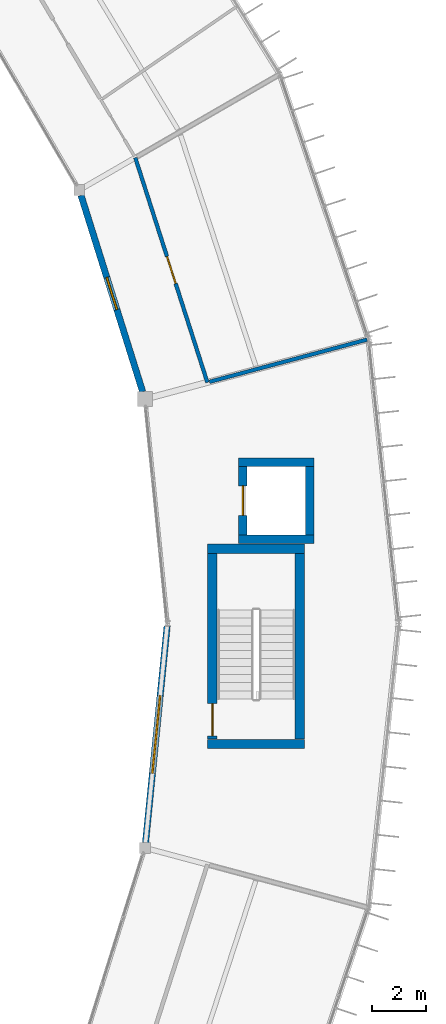
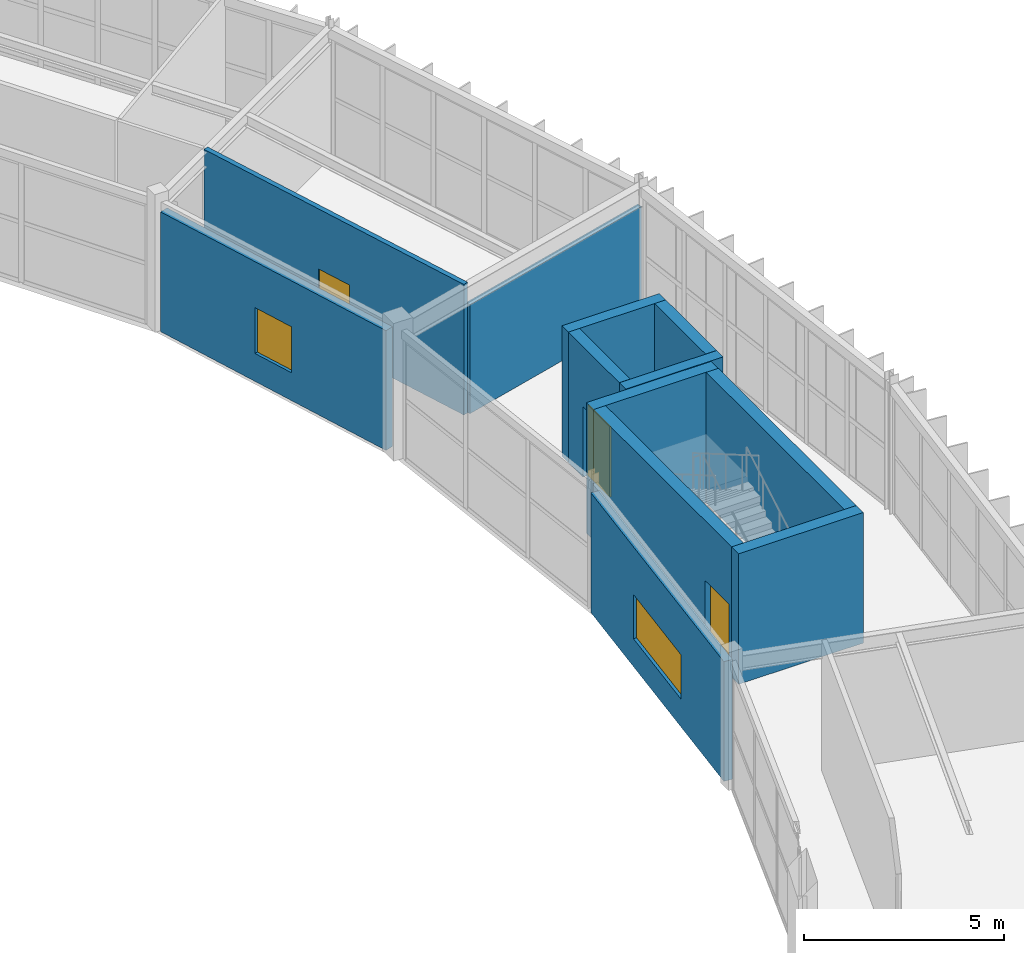
# One storey, part 118 of 134: 12 walls, 3 doors, 2 windows, 5 openings.
"""IFC4 building model written with IfcOpenShell, lengths in metres."""

from ifc_helpers import new_model, si_unit, direction, frame, frame_2d, origin, place, context, subcontext, project, spatial, rectangle, extrude, material, layer, layer_set, type_object, element, fill, save


model = new_model("IFC4")

# Units and contexts
model_context = context("Model", 3, precision=1e-05, world=origin(), true_north=direction((0.0, 1.0)))
body_context = subcontext(model_context, "Body", "Model", "MODEL_VIEW")
ifc_project = project(units=[si_unit("LENGTHUNIT", "METRE"), si_unit("AREAUNIT", "SQUARE_METRE"), si_unit("VOLUMEUNIT", "CUBIC_METRE"), si_unit("PLANEANGLEUNIT", "RADIAN"), si_unit("MASSUNIT", "GRAM", prefix="KILO")], contexts=[model_context])

# Site, building, storey
site_placement = place(None, origin())
site = spatial("IfcSite", under=ifc_project, at=site_placement, CompositionType="ELEMENT")
building_placement = place(site_placement, origin())
building = spatial("IfcBuilding", under=site, at=building_placement, Name="Karori Crest Natural Sciences Institute", CompositionType="ELEMENT")
storey_placement = place(building_placement, frame((0.0, 0.0, 21.699951171875)))
storey = spatial("IfcBuildingStorey", under=building, at=storey_placement, Name="L05", CompositionType="ELEMENT", Elevation=21.699951171875)

# Walls
ifc_material_1 = material(Name="Concrete 50 MPa", Category="concrete")
ifc_layer_1 = layer(ifc_material_1, 0.35009765625, Name="Concrete 50 MPa")
ifc_layer_set_1 = layer_set([ifc_layer_1], Name="Concrete 50 MPa")
wall_type_1 = type_object("IfcWallType", Name="IWT-02", PredefinedType="SHEAR", material=ifc_layer_set_1)
for number, where, z_axis, x_axis, name in (
    (1, (92.300048828125, 45.425048828125, 0.0), (0.0, 0.0, 1.0), (1.0, 0.0, 0.0), "Shear wall IW-0025"),
    (2, (92.300048828125, 52.675048828125, 0.0), (0.0, 0.0, 1.0), (1.0, 0.0, 0.0), "Shear wall IW-0026"),
):
    element("IfcWall", number, at=place(storey_placement, frame(where, z_axis=z_axis, x_axis=x_axis)), inside=storey, type_object=wall_type_1, Name=name, PredefinedType="SHEAR", context=body_context, shape_type="SweptSolid", body=[
        extrude(rectangle(XDim=3.599853515625, YDim=0.35009765625, at=frame_2d((1.7998046875, 0.0))), origin(), (0.0, 0.0, 1.0), 3.97998046875),
    ])

# Wall, opening, door
wall_1_placement = place(storey_placement, frame((92.47509765625, 45.60205078125, 0.0), z_axis=(0.0, 0.0, 1.0), x_axis=(0.0, 1.0, 0.0)))
wall_1 = element("IfcWall", 3, at=wall_1_placement, inside=storey, type_object=wall_type_1, Name="Shear wall IW-0027", PredefinedType="SHEAR", context=body_context, shape_type="SweptSolid", body=[
    extrude(rectangle(XDim=6.89599609375, YDim=0.35009765625, at=frame_2d((3.447998046875, 0.0))), origin(), (0.0, 0.0, 1.0), 3.97998046875),
])
opening_1_placement = place(wall_1_placement, frame((0.1201171875, 0.0, 0.0)))
opening_1 = element("IfcOpeningElement", 4, at=opening_1_placement, cuts=wall_1, Name="Opening ID-0007", PredefinedType="OPENING", context=body_context, shape_type="SweptSolid", body=[
    extrude(rectangle(XDim=1.199951171875, YDim=2.14990234375, at=frame_2d((0.60009765625, 1.074951171875))), frame((0.0, 0.18505859375, 0.0), z_axis=(0.0, -1.0, 0.0), x_axis=(1.0, 0.0, 0.0)), (0.0, 0.0, 1.0), 0.3701171875),
])
ifc_material_2 = material(Name="Stainless steel 316 and fire-rated timber", Category="steel")
door_type_1 = type_object("IfcDoorType", Name="IDT-01", OperationType="NOTDEFINED", PredefinedType="DOOR", material=ifc_material_2)
door_1_placement = place(opening_1_placement, origin())
door_1 = element("IfcDoor", 5, at=door_1_placement, inside=storey, type_object=door_type_1, Name="Stair ST-01 fire door ID-0007", OperationType="SINGLE_SWING_LEFT", OverallHeight=2.14990234375, OverallWidth=1.199951171875, PredefinedType="DOOR", context=body_context, shape_type="SweptSolid", body=[
    extrude(rectangle(XDim=1.199951171875, YDim=2.14990234375, at=frame_2d((0.60009765625, 1.074951171875))), frame((0.0, 0.02490234375, 0.0), z_axis=(0.0, -1.0, 0.0), x_axis=(1.0, 0.0, 0.0)), (0.0, 0.0, 1.0), 0.050048828125),
])
fill(opening_1, door_1)

# Walls
wall_2_placement = place(storey_placement, frame((95.72509765625, 45.60205078125, 0.0), z_axis=(0.0, 0.0, 1.0), x_axis=(0.0, 1.0, 0.0)))
element("IfcWall", 6, at=wall_2_placement, inside=storey, type_object=wall_type_1, Name="Shear wall IW-0028", PredefinedType="SHEAR", context=body_context, shape_type="SweptSolid", body=[
    extrude(rectangle(XDim=6.89599609375, YDim=0.35009765625, at=frame_2d((3.447998046875, 0.0))), origin(), (0.0, 0.0, 1.0), 3.97998046875),
])
ifc_layer_2 = layer(ifc_material_1, 0.320068359375, Name="Concrete 50 MPa")
ifc_layer_set_2 = layer_set([ifc_layer_2], Name="Concrete 50 MPa")
wall_type_2 = type_object("IfcWallType", Name="IWT-03", PredefinedType="SHEAR", material=ifc_layer_set_2)
for number, where, z_axis, x_axis, name in (
    (7, (93.445068359375, 53.030029296875, 0.0), (0.0, 0.0, 1.0), (1.0, 0.0, 0.0), "Shear wall IW-0425"),
    (8, (93.445068359375, 55.89501953125, 0.0), (0.0, 0.0, 1.0), (1.0, 0.0, 0.0), "Shear wall IW-0426"),
):
    element("IfcWall", number, at=place(storey_placement, frame(where, z_axis=z_axis, x_axis=x_axis)), inside=storey, type_object=wall_type_2, Name=name, PredefinedType="SHEAR", context=body_context, shape_type="SweptSolid", body=[
        extrude(rectangle(XDim=2.809814453125, YDim=0.320068359375, at=frame_2d((1.40478515625, 0.0))), origin(), (0.0, 0.0, 1.0), 3.97998046875),
    ])

# Wall, opening, door
wall_3_placement = place(storey_placement, frame((93.60498046875, 53.19189453125, 0.0), z_axis=(0.0, 0.0, 1.0), x_axis=(0.0, 1.0, 0.0)))
wall_3 = element("IfcWall", 9, at=wall_3_placement, inside=storey, type_object=wall_type_2, Name="Shear wall IW-0427", PredefinedType="SHEAR", context=body_context, shape_type="SweptSolid", body=[
    extrude(rectangle(XDim=2.541015625, YDim=0.320068359375, at=frame_2d((1.2705078125, 0.0))), origin(), (0.0, 0.0, 1.0), 3.97998046875),
])
opening_2_placement = place(wall_3_placement, frame((0.720458984375, 0.0, 0.0)))
opening_2 = element("IfcOpeningElement", 10, at=opening_2_placement, cuts=wall_3, Name="Opening LD-0031", PredefinedType="OPENING", context=body_context, shape_type="SweptSolid", body=[
    extrude(rectangle(XDim=1.10009765625, YDim=2.14990234375, at=frame_2d((0.550048828125, 1.074951171875))), frame((0.0, 0.169921875, 0.0), z_axis=(0.0, -1.0, 0.0), x_axis=(1.0, 0.0, 0.0)), (0.0, 0.0, 1.0), 0.340087890625),
])
door_type_2 = type_object("IfcDoorType", Name="LDT-01", OperationType="SLIDING_TO_LEFT", PredefinedType="DOOR", material=ifc_material_2)
door_2_placement = place(opening_2_placement, origin())
door_2 = element("IfcDoor", 11, at=door_2_placement, inside=storey, type_object=door_type_2, Name="Lift LP-01 landing door LD-0031", OperationType="SLIDING_TO_LEFT", OverallHeight=2.14990234375, OverallWidth=1.10009765625, PredefinedType="DOOR", context=body_context, shape_type="SweptSolid", body=[
    extrude(rectangle(XDim=1.10009765625, YDim=2.14990234375, at=frame_2d((0.550048828125, 1.074951171875))), frame((0.0, 0.02490234375, 0.0), z_axis=(0.0, -1.0, 0.0), x_axis=(1.0, 0.0, 0.0)), (0.0, 0.0, 1.0), 0.050048828125),
])
fill(opening_2, door_2)

# Wall
wall_4_placement = place(storey_placement, frame((96.094970703125, 53.19189453125, 0.0), z_axis=(0.0, 0.0, 1.0), x_axis=(0.0, 1.0, 0.0)))
element("IfcWall", 12, at=wall_4_placement, inside=storey, type_object=wall_type_2, Name="Shear wall IW-0428", PredefinedType="SHEAR", context=body_context, shape_type="SweptSolid", body=[
    extrude(rectangle(XDim=2.541015625, YDim=0.320068359375, at=frame_2d((1.2705078125, 0.0))), origin(), (0.0, 0.0, 1.0), 3.97998046875),
])

# Wall, opening, door
ifc_material_3 = material(Name="Laboratory acoustic drywall partition")
ifc_layer_3 = layer(ifc_material_3, 0.139892578125, Name="Laboratory acoustic drywall partition")
ifc_layer_set_3 = layer_set([ifc_layer_3], Name="Laboratory acoustic drywall partition")
wall_type_3 = type_object("IfcWallType", Name="IWT-07", PredefinedType="PARTITIONING", material=ifc_layer_set_3)
wall_5_placement = place(storey_placement, frame((92.286865234375, 58.85498046875, 0.0), z_axis=(0.0, 0.0, 1.0), x_axis=(-0.30548522006, 0.952196818061, 0.0)))
wall_5 = element("IfcWall", 13, at=wall_5_placement, inside=storey, type_object=wall_type_3, Name="Partition wall IW-1367", PredefinedType="PARTITIONING", context=body_context, shape_type="SweptSolid", body=[
    extrude(rectangle(XDim=8.763916015625, YDim=0.139892578125, at=frame_2d((4.3818359375, 0.0))), origin(), (0.0, 0.0, 1.0), 3.97998046875),
])
opening_3_placement = place(wall_5_placement, frame((3.85693359375, 0.0, 0.0)))
opening_3 = element("IfcOpeningElement", 14, at=opening_3_placement, cuts=wall_5, Name="Opening ID-0432", PredefinedType="OPENING", context=body_context, shape_type="SweptSolid", body=[
    extrude(rectangle(XDim=1.050048828125, YDim=2.14990234375, at=frame_2d((0.52490234375, 1.074951171875))), frame((0.0, 0.080078125, 0.0), z_axis=(0.0, -1.0, 0.0), x_axis=(1.0, 0.0, 0.0)), (0.0, 0.0, 1.0), 0.159912109375),
])
door_type_3 = type_object("IfcDoorType", Name="IDT-03", OperationType="NOTDEFINED", PredefinedType="DOOR", material=ifc_material_2)
door_3_placement = place(opening_3_placement, origin())
door_3 = element("IfcDoor", 15, at=door_3_placement, inside=storey, type_object=door_type_3, Name="Molecular Ecology Wet Laboratory door ID-0432", OperationType="SINGLE_SWING_RIGHT", OverallHeight=2.14990234375, OverallWidth=1.050048828125, PredefinedType="DOOR", context=body_context, shape_type="SweptSolid", body=[
    extrude(rectangle(XDim=1.050048828125, YDim=2.14990234375, at=frame_2d((0.52490234375, 1.074951171875))), frame((0.0, 0.02490234375, 0.0), z_axis=(0.0, -1.0, 0.0), x_axis=(1.0, 0.0, 0.0)), (0.0, 0.0, 1.0), 0.050048828125),
])
fill(opening_3, door_3)

# Wall
wall_6_placement = place(storey_placement, frame((92.364013671875, 58.875732421875, 0.0), z_axis=(0.0, 0.0, 1.0), x_axis=(0.96591927772, 0.258843483457, 0.0)))
element("IfcWall", 16, at=wall_6_placement, inside=storey, type_object=wall_type_3, Name="Partition wall IW-1368", PredefinedType="PARTITIONING", context=body_context, shape_type="SweptSolid", body=[
    extrude(rectangle(XDim=6.06005859375, YDim=0.139892578125, at=frame_2d((3.030029296875, 0.0))), origin(), (0.0, 0.0, 1.0), 3.322998046875),
])

# Wall, opening, window
ifc_material_4 = material(Name="Precast concrete 40 MPa", Category="concrete")
ifc_layer_4 = layer(ifc_material_4, 0.239990234375, Name="Precast concrete 40 MPa")
ifc_layer_set_4 = layer_set([ifc_layer_4], Name="Precast concrete 40 MPa")
wall_type_4 = type_object("IfcWallType", Name="WT-04", PredefinedType="SOLIDWALL", material=ifc_layer_set_4)
wall_7_placement = place(storey_placement, frame((89.8828125, 58.507080078125, 0.0), z_axis=(0.0, 0.0, 1.0), x_axis=(-0.299452933333, 0.954111073575, 0.0)))
wall_7 = element("IfcWall", 17, at=wall_7_placement, inside=storey, type_object=wall_type_4, Name="Exterior wall EW-0088", PredefinedType="SOLIDWALL", context=body_context, shape_type="SweptSolid", body=[
    extrude(rectangle(XDim=7.645751953125, YDim=0.239990234375, at=frame_2d((3.82275390625, 0.0))), origin(), (0.0, 0.0, 1.0), 3.650146484375),
])
opening_4_placement = place(wall_7_placement, frame((3.197998046875, 0.0, 0.85009765625)))
opening_4 = element("IfcOpeningElement", 18, at=opening_4_placement, cuts=wall_7, Name="Opening WN-0038", PredefinedType="OPENING", context=body_context, shape_type="SweptSolid", body=[
    extrude(rectangle(XDim=1.25, YDim=1.39990234375, at=frame_2d((0.625, 0.699951171875))), frame((0.0, 0.1298828125, 0.0), z_axis=(0.0, -1.0, 0.0), x_axis=(1.0, 0.0, 0.0)), (0.0, 0.0, 1.0), 0.260009765625),
])
ifc_material_5 = material(Name="Double low-E laminated glass", Category="glass")
window_type_1 = type_object("IfcWindowType", Name="WNT-02", PartitioningType="SINGLE_PANEL", PredefinedType="WINDOW", material=ifc_material_5)
window_1_placement = place(opening_4_placement, origin())
window_1 = element("IfcWindow", 19, at=window_1_placement, inside=storey, type_object=window_type_1, Name="Window WN-0038", OverallHeight=1.39990234375, OverallWidth=1.25, PartitioningType="SINGLE_PANEL", PredefinedType="WINDOW", context=body_context, shape_type="SweptSolid", body=[
    extrude(rectangle(XDim=1.25, YDim=1.39990234375, at=frame_2d((0.625, 0.699951171875))), frame((0.0, 0.030029296875, 0.0), z_axis=(0.0, -1.0, 0.0), x_axis=(1.0, 0.0, 0.0)), (0.0, 0.0, 1.0), 0.06005859375),
])
fill(opening_4, window_1)

wall_8_placement = place(storey_placement, frame((89.98828125, 41.763916015625, 0.0), z_axis=(0.0, 0.0, 1.0), x_axis=(0.099282146725, 0.995059322524, 0.0)))
wall_8 = element("IfcWall", 20, at=wall_8_placement, inside=storey, type_object=wall_type_4, Name="Exterior wall EW-0099", PredefinedType="SOLIDWALL", context=body_context, shape_type="SweptSolid", body=[
    extrude(rectangle(XDim=8.072998046875, YDim=0.239990234375, at=frame_2d((4.03662109375, 0.0))), origin(), (0.0, 0.0, 1.0), 3.650146484375),
])
opening_5_placement = place(wall_8_placement, frame((2.58642578125, 0.0, 0.85009765625)))
opening_5 = element("IfcOpeningElement", 21, at=opening_5_placement, cuts=wall_8, Name="Opening WN-0045", PredefinedType="OPENING", context=body_context, shape_type="SweptSolid", body=[
    extrude(rectangle(XDim=2.89990234375, YDim=1.35009765625, at=frame_2d((1.449951171875, 0.675048828125))), frame((0.0, 0.1298828125, 0.0), z_axis=(0.0, -1.0, 0.0), x_axis=(1.0, 0.0, 0.0)), (0.0, 0.0, 1.0), 0.260009765625),
])
window_type_2 = type_object("IfcWindowType", Name="WNT-24", PartitioningType="SINGLE_PANEL", PredefinedType="WINDOW", material=ifc_material_5)
window_2_placement = place(opening_5_placement, origin())
window_2 = element("IfcWindow", 22, at=window_2_placement, inside=storey, type_object=window_type_2, Name="Window WN-0045", OverallHeight=1.35009765625, OverallWidth=2.89990234375, PartitioningType="SINGLE_PANEL", PredefinedType="WINDOW", context=body_context, shape_type="SweptSolid", body=[
    extrude(rectangle(XDim=2.89990234375, YDim=1.35009765625, at=frame_2d((1.449951171875, 0.675048828125))), frame((0.0, 0.030029296875, 0.0), z_axis=(0.0, -1.0, 0.0), x_axis=(1.0, 0.0, 0.0)), (0.0, 0.0, 1.0), 0.06005859375),
])
fill(opening_5, window_2)

save(model, "model.ifc")
